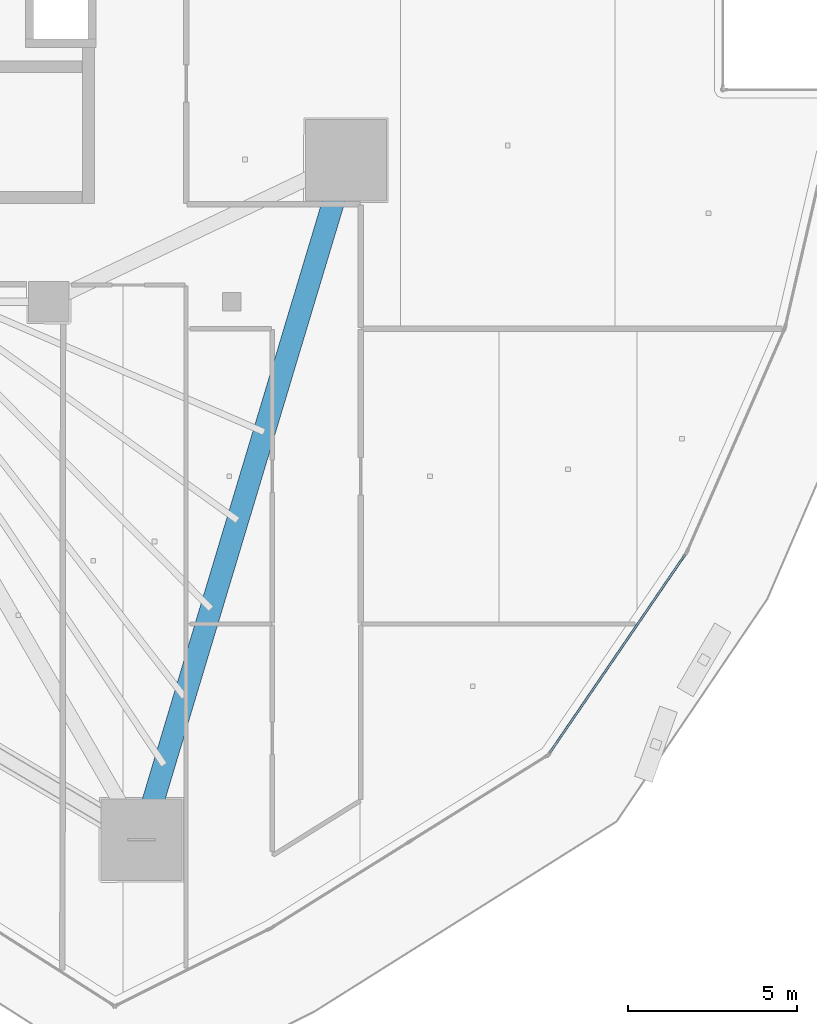
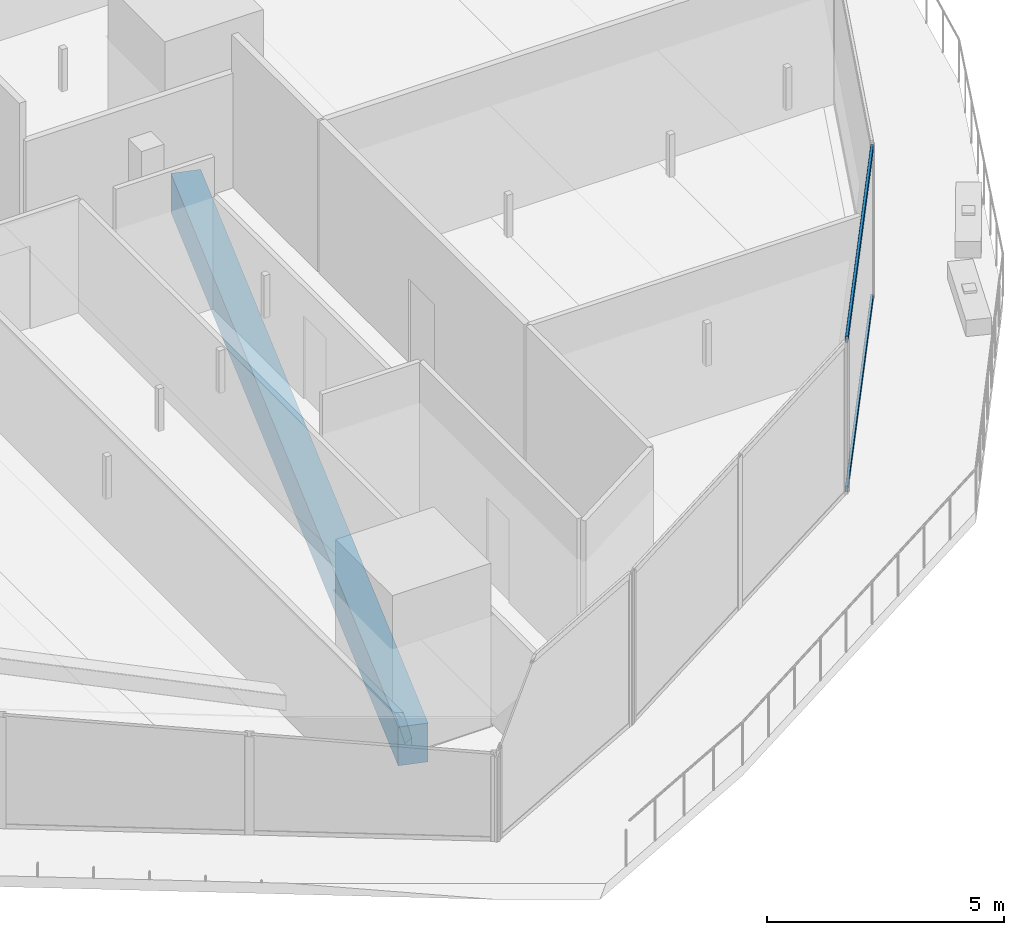
# One storey, part 9 of 47: 2 members, 1 beam, 1 element without a shape of its own.
"""IFC4 building model written with IfcOpenShell, lengths in metres."""

from ifc_helpers import new_model, si_unit, direction, frame, origin, origin_2d, place, context, subcontext, project, spatial, rectangle, hollow_rectangle, extrude, material, layer, layer_set, material_profile, profile_set, type_object, element, aggregate, save


model = new_model("IFC4")

# Units and contexts
model_context = context("Model", 3, precision=1e-05, world=origin(), true_north=direction((0.0, 1.0)))
body_context = subcontext(model_context, "Body", "Model", "MODEL_VIEW")
ifc_project = project(units=[si_unit("LENGTHUNIT", "METRE"), si_unit("AREAUNIT", "SQUARE_METRE"), si_unit("VOLUMEUNIT", "CUBIC_METRE"), si_unit("PLANEANGLEUNIT", "RADIAN"), si_unit("MASSUNIT", "GRAM", prefix="KILO")], contexts=[model_context])

# Site, building, storey
site_placement = place(None, origin())
site = spatial("IfcSite", under=ifc_project, at=site_placement, CompositionType="ELEMENT")
building_placement = place(site_placement, origin())
building = spatial("IfcBuilding", under=site, at=building_placement, Name="Qorvath Tower", CompositionType="ELEMENT")
storey_placement = place(building_placement, frame((0.0, 0.0, 74.39990234375)))
storey = spatial("IfcBuildingStorey", under=building, at=storey_placement, Name="L16", CompositionType="ELEMENT", Elevation=74.39990234375)

# Beam
ifc_material_1 = material(Name="Concrete C50/60", Category="concrete")
ifc_material_profile_1 = material_profile(ifc_material_1, rectangle(XDim=0.64990234375, YDim=1.0, at=origin_2d()), Name="RCB 1000x650")
ifc_profile_set_1 = profile_set([ifc_material_profile_1], Name="Concrete C50/60")
beam_type = type_object("IfcBeamType", Name="BM-RCB1", PredefinedType="SPANDREL", material=ifc_profile_set_1)
beam_placement = place(storey_placement, frame((-14.46435546875, -27.330810546875, -0.77978515625), z_axis=(0.288118908799, 0.957594639914, 0.0), x_axis=(-0.957594639914, 0.288118908799, 0.0)))
element("IfcBeam", 1, at=beam_placement, inside=storey, type_object=beam_type, Name="Perimeter Loggia Frame Beam MC3-MC4 L16", PredefinedType="SPANDREL", context=body_context, shape_type="SweptSolid", body=[
    extrude(rectangle(XDim=0.64990234375, YDim=1.0, at=origin_2d()), origin(), (0.0, 0.0, 1.0), 20.942626953125),
])

# Curtain wall, members
ifc_material_2 = material(Name="Anodised aluminium and triple low-E glass", Category="aluminium")
ifc_layer = layer(ifc_material_2, 0.179931640625)
ifc_layer_set = layer_set([ifc_layer], Name="CW-SYS-5")
curtain_wall_type = type_object("IfcCurtainWallType", Name="CW-SYS-5", PredefinedType="NOTDEFINED", material=ifc_layer_set)
curtain_wall_placement = place(storey_placement, origin())
curtain_wall = element("IfcCurtainWall", 2, at=curtain_wall_placement, inside=storey, type_object=curtain_wall_type, Name="Curtain Wall CW-5 CW-T-L16-9.1", PredefinedType="NOTDEFINED")
ifc_material_3 = material(Name="Anodised aluminium 6063-T6", Category="aluminium")
ifc_material_profile_2 = material_profile(ifc_material_3, hollow_rectangle(XDim=0.06494140625, YDim=0.159912109375, WallThickness=0.00341796875, InnerFilletRadius=0.00341796875, OuterFilletRadius=0.007080078125, at=origin_2d()), Name="CWT 160x65")
ifc_profile_set_2 = profile_set([ifc_material_profile_2], Name="Anodised aluminium 6063-T6")
member_type = type_object("IfcMemberType", Name="CWT-160", PredefinedType="USERDEFINED", material=ifc_profile_set_2)
member_1_placement = place(storey_placement, frame((-2.4140625, -24.765380859375, 0.032470703125), z_axis=(0.564020127161, 0.825761040591, 0.0), x_axis=(-0.825761040591, 0.564020127161, 0.0)))
member_1 = element("IfcMember", 3, at=member_1_placement, type_object=member_type, Name="CW-5 transom 1.1", ObjectType="TRANSOM", PredefinedType="USERDEFINED", context=body_context, shape_type="SweptSolid", body=[
    extrude(hollow_rectangle(XDim=0.06494140625, YDim=0.159912109375, WallThickness=0.00341796875, InnerFilletRadius=0.00341796875, OuterFilletRadius=0.007080078125, at=origin_2d()), origin(), (0.0, 0.0, 1.0), 7.08251953125),
])
member_2_placement = place(storey_placement, frame((-2.4140625, -24.765380859375, 3.8876953125), z_axis=(0.564020127161, 0.825761040591, 0.0), x_axis=(-0.825761040591, 0.564020127161, 0.0)))
member_2 = element("IfcMember", 4, at=member_2_placement, type_object=member_type, Name="CW-5 transom 1.2", ObjectType="TRANSOM", PredefinedType="USERDEFINED", context=body_context, shape_type="SweptSolid", body=[
    extrude(hollow_rectangle(XDim=0.06494140625, YDim=0.159912109375, WallThickness=0.00341796875, InnerFilletRadius=0.00341796875, OuterFilletRadius=0.007080078125, at=origin_2d()), origin(), (0.0, 0.0, 1.0), 7.08251953125),
])
aggregate(curtain_wall, [member_1, member_2])

save(model, "model.ifc")
